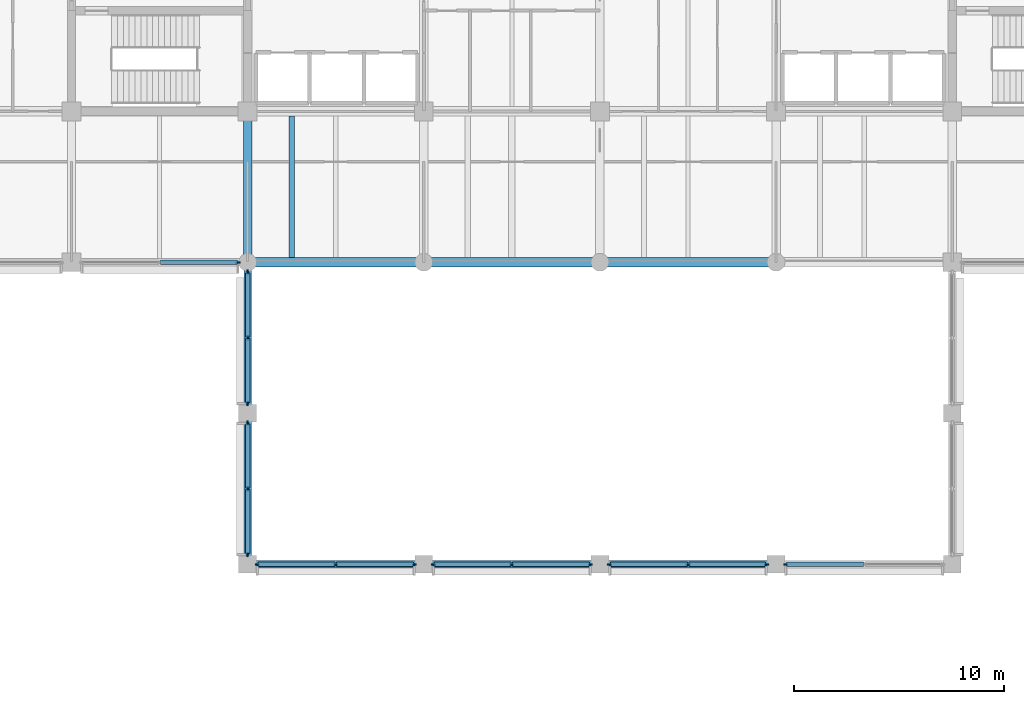
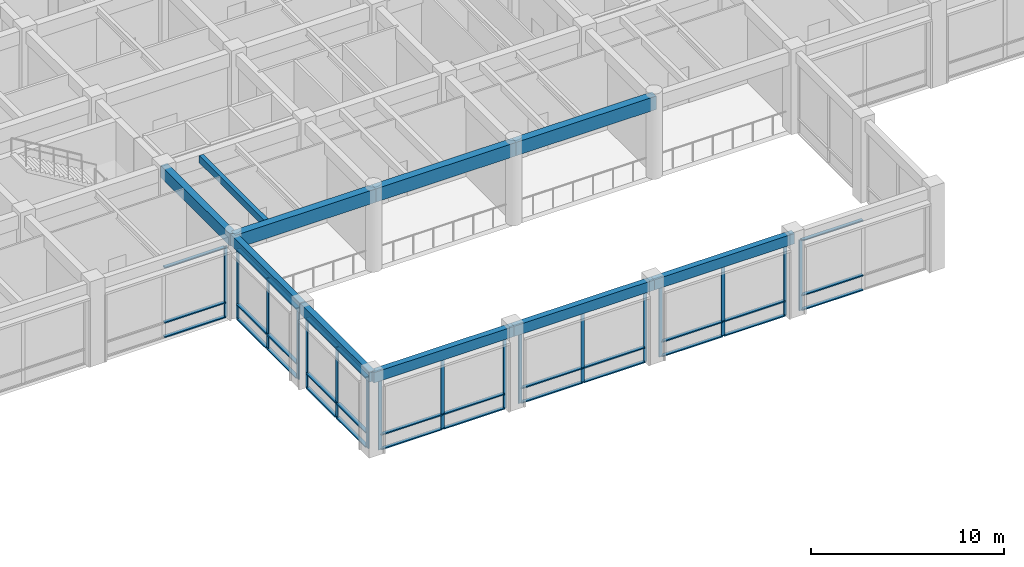
# One storey, part 7 of 51: 53 members, 10 beams, 7 elements without a shape of their own.
"""IFC4 building model written with IfcOpenShell, lengths in metres."""

from ifc_helpers import new_model, si_unit, direction, frame, origin, origin_2d, place, context, subcontext, project, spatial, rectangle, extrude, material, layer, layer_set, material_profile, profile_set, type_object, element, aggregate, save


model = new_model("IFC4")

# Units and contexts
model_context = context("Model", 3, precision=1e-05, world=origin(), true_north=direction((0.0, 1.0)))
body_context = subcontext(model_context, "Body", "Model", "MODEL_VIEW")
ifc_project = project(units=[si_unit("LENGTHUNIT", "METRE"), si_unit("AREAUNIT", "SQUARE_METRE"), si_unit("VOLUMEUNIT", "CUBIC_METRE"), si_unit("PLANEANGLEUNIT", "RADIAN"), si_unit("MASSUNIT", "GRAM", prefix="KILO")], contexts=[model_context])

# Site, building, storey
site_placement = place(None, origin())
site = spatial("IfcSite", under=ifc_project, at=site_placement, CompositionType="ELEMENT")
building_placement = place(site_placement, origin())
building = spatial("IfcBuilding", under=site, at=building_placement, Name="Chengyuan Square Courthouse", CompositionType="ELEMENT")
storey_placement = place(building_placement, frame((0.0, 0.0, 10.800048828125)))
storey = spatial("IfcBuildingStorey", under=building, at=storey_placement, Name="L03", CompositionType="ELEMENT", Elevation=10.800048828125)

# Beams
ifc_material_1 = material(Name="Concrete C40", Category="concrete")
ifc_material_profile_1 = material_profile(ifc_material_1, rectangle(XDim=0.449951171875, YDim=0.85009765625, at=origin_2d()), Name="RC-BM-450x850")
ifc_profile_set_1 = profile_set([ifc_material_profile_1], Name="Concrete C40")
beam_type_1 = type_object("IfcBeamType", Name="BM-01", PredefinedType="USERDEFINED", material=ifc_profile_set_1)
beam_1_placement = place(storey_placement, frame((67.199951171875, 79.199951171875, 4.695068359375), z_axis=(1.0, 0.0, 0.0), x_axis=(0.0, 1.0, 0.0)))
element("IfcBeam", 1, at=beam_1_placement, inside=storey, type_object=beam_type_1, Name="Girder BM-L03-2532", ObjectType="GIRDER", PredefinedType="USERDEFINED", context=body_context, shape_type="SweptSolid", body=[
    extrude(rectangle(XDim=0.449951171875, YDim=0.85009765625, at=origin_2d()), origin(), (0.0, 0.0, 1.0), 8.400146484375),
])
for number, where, z_axis, x_axis, name in (
    (2, (75.60009765625, 79.199951171875, 4.695068359375), (1.0, 0.0, 0.0), (0.0, 1.0, 0.0), "Girder BM-L03-2533"),
    (3, (84.0, 79.199951171875, 4.695068359375), (1.0, 0.0, 0.0), (0.0, 1.0, 0.0), "Girder BM-L03-2534"),
):
    element("IfcBeam", number, at=place(storey_placement, frame(where, z_axis=z_axis, x_axis=x_axis)), inside=storey, type_object=beam_type_1, Name=name, ObjectType="GIRDER", PredefinedType="USERDEFINED", context=body_context, shape_type="SweptSolid", body=[
        extrude(rectangle(XDim=0.449951171875, YDim=0.85009765625, at=origin_2d()), origin(), (0.0, 0.0, 1.0), 8.39990234375),
    ])
ifc_material_profile_2 = material_profile(ifc_material_1, rectangle(XDim=0.39990234375, YDim=0.75, at=origin_2d()), Name="RC-BM-400x750")
ifc_profile_set_2 = profile_set([ifc_material_profile_2], Name="Concrete C40")
beam_type_2 = type_object("IfcBeamType", Name="BM-02", PredefinedType="USERDEFINED", material=ifc_profile_set_2)
beam_2_placement = place(storey_placement, frame((67.199951171875, 79.199951171875, 4.744873046875), z_axis=(0.0, 1.0, 0.0), x_axis=(-1.0, 0.0, 0.0)))
element("IfcBeam", 4, at=beam_2_placement, inside=storey, type_object=beam_type_2, Name="Girder BM-L03-2680", ObjectType="GIRDER", PredefinedType="USERDEFINED", context=body_context, shape_type="SweptSolid", body=[
    extrude(rectangle(XDim=0.39990234375, YDim=0.75, at=origin_2d()), origin(), (0.0, 0.0, 1.0), 7.199951171875),
])
ifc_material_profile_3 = material_profile(ifc_material_1, rectangle(XDim=0.35009765625, YDim=0.64990234375, at=origin_2d()), Name="RC-BM-350x650")
ifc_profile_set_3 = profile_set([ifc_material_profile_3], Name="Concrete C40")
beam_type_3 = type_object("IfcBeamType", Name="BM-03", PredefinedType="SPANDREL", material=ifc_profile_set_3)
beam_3_placement = place(storey_placement, frame((67.199951171875, 64.800048828125, 4.794921875), z_axis=(1.0, 0.0, 0.0), x_axis=(0.0, 1.0, 0.0)))
element("IfcBeam", 5, at=beam_3_placement, inside=storey, type_object=beam_type_3, Name="Girder BM-L03-2517", PredefinedType="SPANDREL", context=body_context, shape_type="SweptSolid", body=[
    extrude(rectangle(XDim=0.35009765625, YDim=0.64990234375, at=origin_2d()), origin(), (0.0, 0.0, 1.0), 8.400146484375),
])
for number, where, z_axis, x_axis, name in (
    (6, (75.60009765625, 64.800048828125, 4.794921875), (1.0, 0.0, 0.0), (0.0, 1.0, 0.0), "Girder BM-L03-2518"),
    (7, (84.0, 64.800048828125, 4.794921875), (1.0, 0.0, 0.0), (0.0, 1.0, 0.0), "Girder BM-L03-2519"),
):
    element("IfcBeam", number, at=place(storey_placement, frame(where, z_axis=z_axis, x_axis=x_axis)), inside=storey, type_object=beam_type_3, Name=name, PredefinedType="SPANDREL", context=body_context, shape_type="SweptSolid", body=[
        extrude(rectangle(XDim=0.35009765625, YDim=0.64990234375, at=origin_2d()), origin(), (0.0, 0.0, 1.0), 8.39990234375),
    ])
for number, where, z_axis, x_axis, name in (
    (8, (67.199951171875, 64.800048828125, 4.794921875), (0.0, 1.0, 0.0), (-1.0, 0.0, 0.0), "Girder BM-L03-2678"),
    (9, (67.199951171875, 72.0, 4.794921875), (0.0, 1.0, 0.0), (-1.0, 0.0, 0.0), "Girder BM-L03-2679"),
):
    element("IfcBeam", number, at=place(storey_placement, frame(where, z_axis=z_axis, x_axis=x_axis)), inside=storey, type_object=beam_type_3, Name=name, PredefinedType="SPANDREL", context=body_context, shape_type="SweptSolid", body=[
        extrude(rectangle(XDim=0.35009765625, YDim=0.64990234375, at=origin_2d()), origin(), (0.0, 0.0, 1.0), 7.199951171875),
    ])
ifc_material_profile_4 = material_profile(ifc_material_1, rectangle(XDim=0.25, YDim=0.449951171875, at=origin_2d()), Name="RC-UP-250x450")
ifc_profile_set_4 = profile_set([ifc_material_profile_4], Name="Concrete C40")
beam_type_4 = type_object("IfcBeamType", Name="BM-05", PredefinedType="USERDEFINED", material=ifc_profile_set_4)
beam_4_placement = place(storey_placement, frame((69.300048828125, 79.425048828125, 4.89501953125), z_axis=(0.0, 1.0, 0.0), x_axis=(-1.0, 0.0, 0.0)))
element("IfcBeam", 10, at=beam_4_placement, inside=storey, type_object=beam_type_4, Name="Concourse Edge Trim Beam UPB-L03-08", ObjectType="UPSTAND", PredefinedType="USERDEFINED", context=body_context, shape_type="SweptSolid", body=[
    extrude(rectangle(XDim=0.25, YDim=0.449951171875, at=origin_2d()), origin(), (0.0, 0.0, 1.0), 6.75),
])

# Curtain wall, member
ifc_material_2 = material(Name="Unitised Aluminium and Triple Low-E Glass", Category="aluminium")
ifc_layer_1 = layer(ifc_material_2, 0.199951171875)
ifc_layer_set_1 = layer_set([ifc_layer_1], Name="Unitised Aluminium and Triple Low-E Glass")
curtain_wall_type_1 = type_object("IfcCurtainWallType", Name="CW-07", PredefinedType="USERDEFINED", material=ifc_layer_set_1)
curtain_wall_1_placement = place(storey_placement, origin())
curtain_wall_1 = element("IfcCurtainWall", 11, at=curtain_wall_1_placement, inside=storey, type_object=curtain_wall_type_1, Name="Unitised Curtain Wall CW-L03-104", ObjectType="UNITISED CURTAIN WALL", PredefinedType="USERDEFINED")
ifc_material_3 = material(Name="Aluminium 6063-T6 Frame", Category="aluminium")
ifc_material_profile_5 = material_profile(ifc_material_3, rectangle(XDim=0.070068359375, YDim=0.199951171875, at=origin_2d()), Name="CW-MUL-70x200")
ifc_profile_set_5 = profile_set([ifc_material_profile_5], Name="Aluminium 6063-T6 Frame")
member_type_1 = type_object("IfcMemberType", Name="CWM-03", PredefinedType="MULLION", material=ifc_profile_set_5)
member_1_placement = place(storey_placement, frame((66.739990234375, 79.199951171875, 0.0), z_axis=(0.0, 0.0, 1.0), x_axis=(0.0, 1.0, 0.0)))
member_1 = element("IfcMember", 12, at=member_1_placement, type_object=member_type_1, Name="CW-07 mullion 3", PredefinedType="MULLION", context=body_context, shape_type="SweptSolid", body=[
    extrude(rectangle(XDim=0.070068359375, YDim=0.199951171875, at=origin_2d()), origin(), (0.0, 0.0, 1.0), 4.469970703125),
])

# Curtain wall, members
curtain_wall_2_placement = place(storey_placement, origin())
curtain_wall_2 = element("IfcCurtainWall", 13, at=curtain_wall_2_placement, inside=storey, type_object=curtain_wall_type_1, Name="Unitised Curtain Wall CW-L03-105", ObjectType="UNITISED CURTAIN WALL", PredefinedType="USERDEFINED")
member_2_placement = place(storey_placement, frame((67.659912109375, 64.800048828125, 0.0), z_axis=(0.0, 0.0, 1.0), x_axis=(0.0, 1.0, 0.0)))
member_2 = element("IfcMember", 14, at=member_2_placement, type_object=member_type_1, Name="CW-07 mullion 1", PredefinedType="MULLION", context=body_context, shape_type="SweptSolid", body=[
    extrude(rectangle(XDim=0.070068359375, YDim=0.199951171875, at=origin_2d()), origin(), (0.0, 0.0, 1.0), 4.469970703125),
])
member_3_placement = place(storey_placement, frame((71.39990234375, 64.800048828125, 0.0), z_axis=(0.0, 0.0, 1.0), x_axis=(0.0, 1.0, 0.0)))
member_3 = element("IfcMember", 15, at=member_3_placement, type_object=member_type_1, Name="CW-07 mullion 2", PredefinedType="MULLION", context=body_context, shape_type="SweptSolid", body=[
    extrude(rectangle(XDim=0.070068359375, YDim=0.199951171875, at=origin_2d()), origin(), (0.0, 0.0, 1.0), 4.469970703125),
])
member_4_placement = place(storey_placement, frame((75.139892578125, 64.800048828125, 0.0), z_axis=(0.0, 0.0, 1.0), x_axis=(0.0, 1.0, 0.0)))
member_4 = element("IfcMember", 16, at=member_4_placement, type_object=member_type_1, Name="CW-07 mullion 3", PredefinedType="MULLION", context=body_context, shape_type="SweptSolid", body=[
    extrude(rectangle(XDim=0.070068359375, YDim=0.199951171875, at=origin_2d()), origin(), (0.0, 0.0, 1.0), 4.469970703125),
])

curtain_wall_3_placement = place(storey_placement, origin())
curtain_wall_3 = element("IfcCurtainWall", 17, at=curtain_wall_3_placement, inside=storey, type_object=curtain_wall_type_1, Name="Unitised Curtain Wall CW-L03-108", ObjectType="UNITISED CURTAIN WALL", PredefinedType="USERDEFINED")
member_5_placement = place(storey_placement, frame((76.06005859375, 64.800048828125, 0.0), z_axis=(0.0, 0.0, 1.0), x_axis=(0.0, 1.0, 0.0)))
member_5 = element("IfcMember", 18, at=member_5_placement, type_object=member_type_1, Name="CW-07 mullion 1", PredefinedType="MULLION", context=body_context, shape_type="SweptSolid", body=[
    extrude(rectangle(XDim=0.070068359375, YDim=0.199951171875, at=origin_2d()), origin(), (0.0, 0.0, 1.0), 4.469970703125),
])
member_6_placement = place(storey_placement, frame((79.800048828125, 64.800048828125, 0.0), z_axis=(0.0, 0.0, 1.0), x_axis=(0.0, 1.0, 0.0)))
member_6 = element("IfcMember", 19, at=member_6_placement, type_object=member_type_1, Name="CW-07 mullion 2", PredefinedType="MULLION", context=body_context, shape_type="SweptSolid", body=[
    extrude(rectangle(XDim=0.070068359375, YDim=0.199951171875, at=origin_2d()), origin(), (0.0, 0.0, 1.0), 4.469970703125),
])
member_7_placement = place(storey_placement, frame((83.5400390625, 64.800048828125, 0.0), z_axis=(0.0, 0.0, 1.0), x_axis=(0.0, 1.0, 0.0)))
member_7 = element("IfcMember", 20, at=member_7_placement, type_object=member_type_1, Name="CW-07 mullion 3", PredefinedType="MULLION", context=body_context, shape_type="SweptSolid", body=[
    extrude(rectangle(XDim=0.070068359375, YDim=0.199951171875, at=origin_2d()), origin(), (0.0, 0.0, 1.0), 4.469970703125),
])

curtain_wall_4_placement = place(storey_placement, origin())
curtain_wall_4 = element("IfcCurtainWall", 21, at=curtain_wall_4_placement, inside=storey, type_object=curtain_wall_type_1, Name="Unitised Curtain Wall CW-L03-109", ObjectType="UNITISED CURTAIN WALL", PredefinedType="USERDEFINED")
member_8_placement = place(storey_placement, frame((84.4599609375, 64.800048828125, 0.0), z_axis=(0.0, 0.0, 1.0), x_axis=(0.0, 1.0, 0.0)))
member_8 = element("IfcMember", 22, at=member_8_placement, type_object=member_type_1, Name="CW-07 mullion 1", PredefinedType="MULLION", context=body_context, shape_type="SweptSolid", body=[
    extrude(rectangle(XDim=0.070068359375, YDim=0.199951171875, at=origin_2d()), origin(), (0.0, 0.0, 1.0), 4.469970703125),
])
member_9_placement = place(storey_placement, frame((88.199951171875, 64.800048828125, 0.0), z_axis=(0.0, 0.0, 1.0), x_axis=(0.0, 1.0, 0.0)))
member_9 = element("IfcMember", 23, at=member_9_placement, type_object=member_type_1, Name="CW-07 mullion 2", PredefinedType="MULLION", context=body_context, shape_type="SweptSolid", body=[
    extrude(rectangle(XDim=0.070068359375, YDim=0.199951171875, at=origin_2d()), origin(), (0.0, 0.0, 1.0), 4.469970703125),
])
member_10_placement = place(storey_placement, frame((91.93994140625, 64.800048828125, 0.0), z_axis=(0.0, 0.0, 1.0), x_axis=(0.0, 1.0, 0.0)))
member_10 = element("IfcMember", 24, at=member_10_placement, type_object=member_type_1, Name="CW-07 mullion 3", PredefinedType="MULLION", context=body_context, shape_type="SweptSolid", body=[
    extrude(rectangle(XDim=0.070068359375, YDim=0.199951171875, at=origin_2d()), origin(), (0.0, 0.0, 1.0), 4.469970703125),
])

# Curtain wall, member
curtain_wall_5_placement = place(storey_placement, origin())
curtain_wall_5 = element("IfcCurtainWall", 25, at=curtain_wall_5_placement, inside=storey, type_object=curtain_wall_type_1, Name="Unitised Curtain Wall CW-L03-110", ObjectType="UNITISED CURTAIN WALL", PredefinedType="USERDEFINED")
member_11_placement = place(storey_placement, frame((92.860107421875, 64.800048828125, 0.0), z_axis=(0.0, 0.0, 1.0), x_axis=(0.0, 1.0, 0.0)))
member_11 = element("IfcMember", 26, at=member_11_placement, type_object=member_type_1, Name="CW-07 mullion 1", PredefinedType="MULLION", context=body_context, shape_type="SweptSolid", body=[
    extrude(rectangle(XDim=0.070068359375, YDim=0.199951171875, at=origin_2d()), origin(), (0.0, 0.0, 1.0), 4.469970703125),
])

# Curtain wall, members
ifc_layer_2 = layer(ifc_material_2, 0.219970703125)
ifc_layer_set_2 = layer_set([ifc_layer_2], Name="Unitised Aluminium and Triple Low-E Glass")
curtain_wall_type_2 = type_object("IfcCurtainWallType", Name="CW-20", PredefinedType="USERDEFINED", material=ifc_layer_set_2)
curtain_wall_6_placement = place(storey_placement, origin())
curtain_wall_6 = element("IfcCurtainWall", 27, at=curtain_wall_6_placement, inside=storey, type_object=curtain_wall_type_2, Name="Unitised Curtain Wall CW-L03-106", ObjectType="UNITISED CURTAIN WALL", PredefinedType="USERDEFINED")
ifc_material_profile_6 = material_profile(ifc_material_3, rectangle(XDim=0.080078125, YDim=0.219970703125, at=origin_2d()), Name="CW-MUL-80x220")
ifc_profile_set_6 = profile_set([ifc_material_profile_6], Name="Aluminium 6063-T6 Frame")
member_type_2 = type_object("IfcMemberType", Name="CWM-04", PredefinedType="MULLION", material=ifc_profile_set_6)
member_12_placement = place(storey_placement, frame((67.199951171875, 65.264892578125, 0.0), z_axis=(0.0, 0.0, 1.0), x_axis=(-1.0, 0.0, 0.0)))
member_12 = element("IfcMember", 28, at=member_12_placement, type_object=member_type_2, Name="CW-20 mullion 1", PredefinedType="MULLION", context=body_context, shape_type="SweptSolid", body=[
    extrude(rectangle(XDim=0.080078125, YDim=0.219970703125, at=origin_2d()), origin(), (0.0, 0.0, 1.0), 4.469970703125),
])
member_13_placement = place(storey_placement, frame((67.199951171875, 68.39990234375, 0.0), z_axis=(0.0, 0.0, 1.0), x_axis=(-1.0, 0.0, 0.0)))
member_13 = element("IfcMember", 29, at=member_13_placement, type_object=member_type_2, Name="CW-20 mullion 2", PredefinedType="MULLION", context=body_context, shape_type="SweptSolid", body=[
    extrude(rectangle(XDim=0.080078125, YDim=0.219970703125, at=origin_2d()), origin(), (0.0, 0.0, 1.0), 4.469970703125),
])
member_14_placement = place(storey_placement, frame((67.199951171875, 71.534912109375, 0.0), z_axis=(0.0, 0.0, 1.0), x_axis=(-1.0, 0.0, 0.0)))
member_14 = element("IfcMember", 30, at=member_14_placement, type_object=member_type_2, Name="CW-20 mullion 3", PredefinedType="MULLION", context=body_context, shape_type="SweptSolid", body=[
    extrude(rectangle(XDim=0.080078125, YDim=0.219970703125, at=origin_2d()), origin(), (0.0, 0.0, 1.0), 4.469970703125),
])

curtain_wall_7_placement = place(storey_placement, origin())
curtain_wall_7 = element("IfcCurtainWall", 31, at=curtain_wall_7_placement, inside=storey, type_object=curtain_wall_type_2, Name="Unitised Curtain Wall CW-L03-107", ObjectType="UNITISED CURTAIN WALL", PredefinedType="USERDEFINED")
member_15_placement = place(storey_placement, frame((67.199951171875, 72.465087890625, 0.0), z_axis=(0.0, 0.0, 1.0), x_axis=(-1.0, 0.0, 0.0)))
member_15 = element("IfcMember", 32, at=member_15_placement, type_object=member_type_2, Name="CW-20 mullion 1", PredefinedType="MULLION", context=body_context, shape_type="SweptSolid", body=[
    extrude(rectangle(XDim=0.080078125, YDim=0.219970703125, at=origin_2d()), origin(), (0.0, 0.0, 1.0), 4.469970703125),
])
member_16_placement = place(storey_placement, frame((67.199951171875, 75.60009765625, 0.0), z_axis=(0.0, 0.0, 1.0), x_axis=(-1.0, 0.0, 0.0)))
member_16 = element("IfcMember", 33, at=member_16_placement, type_object=member_type_2, Name="CW-20 mullion 2", PredefinedType="MULLION", context=body_context, shape_type="SweptSolid", body=[
    extrude(rectangle(XDim=0.080078125, YDim=0.219970703125, at=origin_2d()), origin(), (0.0, 0.0, 1.0), 4.469970703125),
])
member_17_placement = place(storey_placement, frame((67.199951171875, 78.735107421875, 0.0), z_axis=(0.0, 0.0, 1.0), x_axis=(-1.0, 0.0, 0.0)))
member_17 = element("IfcMember", 34, at=member_17_placement, type_object=member_type_2, Name="CW-20 mullion 3", PredefinedType="MULLION", context=body_context, shape_type="SweptSolid", body=[
    extrude(rectangle(XDim=0.080078125, YDim=0.219970703125, at=origin_2d()), origin(), (0.0, 0.0, 1.0), 4.469970703125),
])

# Member
ifc_material_profile_7 = material_profile(ifc_material_3, rectangle(XDim=0.199951171875, YDim=0.070068359375, at=origin_2d()), Name="CW-TRN-70x160")
ifc_profile_set_7 = profile_set([ifc_material_profile_7], Name="Aluminium 6063-T6 Frame")
member_type_3 = type_object("IfcMemberType", Name="CWT-03", PredefinedType="USERDEFINED", material=ifc_profile_set_7)
member_18_placement = place(storey_placement, frame((63.047607421875, 79.199951171875, 0.034912109375), z_axis=(1.0, 0.0, 0.0), x_axis=(0.0, 1.0, 0.0)))
member_18 = element("IfcMember", 35, at=member_18_placement, type_object=member_type_3, Name="CW-07 transom 2.1", ObjectType="TRANSOM", PredefinedType="USERDEFINED", context=body_context, shape_type="SweptSolid", body=[
    extrude(rectangle(XDim=0.199951171875, YDim=0.070068359375, at=origin_2d()), origin(), (0.0, 0.0, 1.0), 3.657470703125),
])

member_19_placement = place(storey_placement, frame((63.047607421875, 79.199951171875, 0.949951171875), z_axis=(1.0, 0.0, 0.0), x_axis=(0.0, 1.0, 0.0)))
member_19 = element("IfcMember", 36, at=member_19_placement, type_object=member_type_3, Name="CW-07 transom 2.2", ObjectType="TRANSOM", PredefinedType="USERDEFINED", context=body_context, shape_type="SweptSolid", body=[
    extrude(rectangle(XDim=0.199951171875, YDim=0.070068359375, at=origin_2d()), origin(), (0.0, 0.0, 1.0), 3.657470703125),
])

member_20_placement = place(storey_placement, frame((63.047607421875, 79.199951171875, 4.43505859375), z_axis=(1.0, 0.0, 0.0), x_axis=(0.0, 1.0, 0.0)))
member_20 = element("IfcMember", 37, at=member_20_placement, type_object=member_type_3, Name="CW-07 transom 2.3", ObjectType="TRANSOM", PredefinedType="USERDEFINED", context=body_context, shape_type="SweptSolid", body=[
    extrude(rectangle(XDim=0.199951171875, YDim=0.070068359375, at=origin_2d()), origin(), (0.0, 0.0, 1.0), 3.657470703125),
])

aggregate(curtain_wall_1, [member_1, member_18, member_19, member_20])

member_21_placement = place(storey_placement, frame((67.695068359375, 64.800048828125, 0.034912109375), z_axis=(1.0, 0.0, 0.0), x_axis=(0.0, 1.0, 0.0)))
member_21 = element("IfcMember", 38, at=member_21_placement, type_object=member_type_3, Name="CW-07 transom 1.1", ObjectType="TRANSOM", PredefinedType="USERDEFINED", context=body_context, shape_type="SweptSolid", body=[
    extrude(rectangle(XDim=0.199951171875, YDim=0.070068359375, at=origin_2d()), origin(), (0.0, 0.0, 1.0), 3.669921875),
])

member_22_placement = place(storey_placement, frame((67.695068359375, 64.800048828125, 0.949951171875), z_axis=(1.0, 0.0, 0.0), x_axis=(0.0, 1.0, 0.0)))
member_22 = element("IfcMember", 39, at=member_22_placement, type_object=member_type_3, Name="CW-07 transom 1.2", ObjectType="TRANSOM", PredefinedType="USERDEFINED", context=body_context, shape_type="SweptSolid", body=[
    extrude(rectangle(XDim=0.199951171875, YDim=0.070068359375, at=origin_2d()), origin(), (0.0, 0.0, 1.0), 3.669921875),
])

member_23_placement = place(storey_placement, frame((67.695068359375, 64.800048828125, 4.43505859375), z_axis=(1.0, 0.0, 0.0), x_axis=(0.0, 1.0, 0.0)))
member_23 = element("IfcMember", 40, at=member_23_placement, type_object=member_type_3, Name="CW-07 transom 1.3", ObjectType="TRANSOM", PredefinedType="USERDEFINED", context=body_context, shape_type="SweptSolid", body=[
    extrude(rectangle(XDim=0.199951171875, YDim=0.070068359375, at=origin_2d()), origin(), (0.0, 0.0, 1.0), 3.669921875),
])

member_24_placement = place(storey_placement, frame((71.43505859375, 64.800048828125, 0.034912109375), z_axis=(1.0, 0.0, 0.0), x_axis=(0.0, 1.0, 0.0)))
member_24 = element("IfcMember", 41, at=member_24_placement, type_object=member_type_3, Name="CW-07 transom 2.1", ObjectType="TRANSOM", PredefinedType="USERDEFINED", context=body_context, shape_type="SweptSolid", body=[
    extrude(rectangle(XDim=0.199951171875, YDim=0.070068359375, at=origin_2d()), origin(), (0.0, 0.0, 1.0), 3.669921875),
])

member_25_placement = place(storey_placement, frame((71.43505859375, 64.800048828125, 0.949951171875), z_axis=(1.0, 0.0, 0.0), x_axis=(0.0, 1.0, 0.0)))
member_25 = element("IfcMember", 42, at=member_25_placement, type_object=member_type_3, Name="CW-07 transom 2.2", ObjectType="TRANSOM", PredefinedType="USERDEFINED", context=body_context, shape_type="SweptSolid", body=[
    extrude(rectangle(XDim=0.199951171875, YDim=0.070068359375, at=origin_2d()), origin(), (0.0, 0.0, 1.0), 3.669921875),
])

member_26_placement = place(storey_placement, frame((71.43505859375, 64.800048828125, 4.43505859375), z_axis=(1.0, 0.0, 0.0), x_axis=(0.0, 1.0, 0.0)))
member_26 = element("IfcMember", 43, at=member_26_placement, type_object=member_type_3, Name="CW-07 transom 2.3", ObjectType="TRANSOM", PredefinedType="USERDEFINED", context=body_context, shape_type="SweptSolid", body=[
    extrude(rectangle(XDim=0.199951171875, YDim=0.070068359375, at=origin_2d()), origin(), (0.0, 0.0, 1.0), 3.669921875),
])

aggregate(curtain_wall_2, [member_2, member_3, member_4, member_21, member_22, member_23, member_24, member_25, member_26])

member_27_placement = place(storey_placement, frame((76.094970703125, 64.800048828125, 0.034912109375), z_axis=(1.0, 0.0, 0.0), x_axis=(0.0, 1.0, 0.0)))
member_27 = element("IfcMember", 44, at=member_27_placement, type_object=member_type_3, Name="CW-07 transom 1.1", ObjectType="TRANSOM", PredefinedType="USERDEFINED", context=body_context, shape_type="SweptSolid", body=[
    extrude(rectangle(XDim=0.199951171875, YDim=0.070068359375, at=origin_2d()), origin(), (0.0, 0.0, 1.0), 3.669921875),
])

member_28_placement = place(storey_placement, frame((76.094970703125, 64.800048828125, 0.949951171875), z_axis=(1.0, 0.0, 0.0), x_axis=(0.0, 1.0, 0.0)))
member_28 = element("IfcMember", 45, at=member_28_placement, type_object=member_type_3, Name="CW-07 transom 1.2", ObjectType="TRANSOM", PredefinedType="USERDEFINED", context=body_context, shape_type="SweptSolid", body=[
    extrude(rectangle(XDim=0.199951171875, YDim=0.070068359375, at=origin_2d()), origin(), (0.0, 0.0, 1.0), 3.669921875),
])

member_29_placement = place(storey_placement, frame((76.094970703125, 64.800048828125, 4.43505859375), z_axis=(1.0, 0.0, 0.0), x_axis=(0.0, 1.0, 0.0)))
member_29 = element("IfcMember", 46, at=member_29_placement, type_object=member_type_3, Name="CW-07 transom 1.3", ObjectType="TRANSOM", PredefinedType="USERDEFINED", context=body_context, shape_type="SweptSolid", body=[
    extrude(rectangle(XDim=0.199951171875, YDim=0.070068359375, at=origin_2d()), origin(), (0.0, 0.0, 1.0), 3.669921875),
])

member_30_placement = place(storey_placement, frame((79.8349609375, 64.800048828125, 0.034912109375), z_axis=(1.0, 0.0, 0.0), x_axis=(0.0, 1.0, 0.0)))
member_30 = element("IfcMember", 47, at=member_30_placement, type_object=member_type_3, Name="CW-07 transom 2.1", ObjectType="TRANSOM", PredefinedType="USERDEFINED", context=body_context, shape_type="SweptSolid", body=[
    extrude(rectangle(XDim=0.199951171875, YDim=0.070068359375, at=origin_2d()), origin(), (0.0, 0.0, 1.0), 3.669921875),
])

member_31_placement = place(storey_placement, frame((79.8349609375, 64.800048828125, 0.949951171875), z_axis=(1.0, 0.0, 0.0), x_axis=(0.0, 1.0, 0.0)))
member_31 = element("IfcMember", 48, at=member_31_placement, type_object=member_type_3, Name="CW-07 transom 2.2", ObjectType="TRANSOM", PredefinedType="USERDEFINED", context=body_context, shape_type="SweptSolid", body=[
    extrude(rectangle(XDim=0.199951171875, YDim=0.070068359375, at=origin_2d()), origin(), (0.0, 0.0, 1.0), 3.669921875),
])

member_32_placement = place(storey_placement, frame((79.8349609375, 64.800048828125, 4.43505859375), z_axis=(1.0, 0.0, 0.0), x_axis=(0.0, 1.0, 0.0)))
member_32 = element("IfcMember", 49, at=member_32_placement, type_object=member_type_3, Name="CW-07 transom 2.3", ObjectType="TRANSOM", PredefinedType="USERDEFINED", context=body_context, shape_type="SweptSolid", body=[
    extrude(rectangle(XDim=0.199951171875, YDim=0.070068359375, at=origin_2d()), origin(), (0.0, 0.0, 1.0), 3.669921875),
])

aggregate(curtain_wall_3, [member_5, member_6, member_7, member_27, member_28, member_29, member_30, member_31, member_32])

member_33_placement = place(storey_placement, frame((84.4951171875, 64.800048828125, 0.034912109375), z_axis=(1.0, 0.0, 0.0), x_axis=(0.0, 1.0, 0.0)))
member_33 = element("IfcMember", 50, at=member_33_placement, type_object=member_type_3, Name="CW-07 transom 1.1", ObjectType="TRANSOM", PredefinedType="USERDEFINED", context=body_context, shape_type="SweptSolid", body=[
    extrude(rectangle(XDim=0.199951171875, YDim=0.070068359375, at=origin_2d()), origin(), (0.0, 0.0, 1.0), 3.669921875),
])

member_34_placement = place(storey_placement, frame((84.4951171875, 64.800048828125, 0.949951171875), z_axis=(1.0, 0.0, 0.0), x_axis=(0.0, 1.0, 0.0)))
member_34 = element("IfcMember", 51, at=member_34_placement, type_object=member_type_3, Name="CW-07 transom 1.2", ObjectType="TRANSOM", PredefinedType="USERDEFINED", context=body_context, shape_type="SweptSolid", body=[
    extrude(rectangle(XDim=0.199951171875, YDim=0.070068359375, at=origin_2d()), origin(), (0.0, 0.0, 1.0), 3.669921875),
])

member_35_placement = place(storey_placement, frame((84.4951171875, 64.800048828125, 4.43505859375), z_axis=(1.0, 0.0, 0.0), x_axis=(0.0, 1.0, 0.0)))
member_35 = element("IfcMember", 52, at=member_35_placement, type_object=member_type_3, Name="CW-07 transom 1.3", ObjectType="TRANSOM", PredefinedType="USERDEFINED", context=body_context, shape_type="SweptSolid", body=[
    extrude(rectangle(XDim=0.199951171875, YDim=0.070068359375, at=origin_2d()), origin(), (0.0, 0.0, 1.0), 3.669921875),
])

member_36_placement = place(storey_placement, frame((88.235107421875, 64.800048828125, 0.034912109375), z_axis=(1.0, 0.0, 0.0), x_axis=(0.0, 1.0, 0.0)))
member_36 = element("IfcMember", 53, at=member_36_placement, type_object=member_type_3, Name="CW-07 transom 2.1", ObjectType="TRANSOM", PredefinedType="USERDEFINED", context=body_context, shape_type="SweptSolid", body=[
    extrude(rectangle(XDim=0.199951171875, YDim=0.070068359375, at=origin_2d()), origin(), (0.0, 0.0, 1.0), 3.669921875),
])

member_37_placement = place(storey_placement, frame((88.235107421875, 64.800048828125, 0.949951171875), z_axis=(1.0, 0.0, 0.0), x_axis=(0.0, 1.0, 0.0)))
member_37 = element("IfcMember", 54, at=member_37_placement, type_object=member_type_3, Name="CW-07 transom 2.2", ObjectType="TRANSOM", PredefinedType="USERDEFINED", context=body_context, shape_type="SweptSolid", body=[
    extrude(rectangle(XDim=0.199951171875, YDim=0.070068359375, at=origin_2d()), origin(), (0.0, 0.0, 1.0), 3.669921875),
])

member_38_placement = place(storey_placement, frame((88.235107421875, 64.800048828125, 4.43505859375), z_axis=(1.0, 0.0, 0.0), x_axis=(0.0, 1.0, 0.0)))
member_38 = element("IfcMember", 55, at=member_38_placement, type_object=member_type_3, Name="CW-07 transom 2.3", ObjectType="TRANSOM", PredefinedType="USERDEFINED", context=body_context, shape_type="SweptSolid", body=[
    extrude(rectangle(XDim=0.199951171875, YDim=0.070068359375, at=origin_2d()), origin(), (0.0, 0.0, 1.0), 3.669921875),
])

aggregate(curtain_wall_4, [member_8, member_9, member_10, member_33, member_34, member_35, member_36, member_37, member_38])

member_39_placement = place(storey_placement, frame((92.89501953125, 64.800048828125, 0.034912109375), z_axis=(1.0, 0.0, 0.0), x_axis=(0.0, 1.0, 0.0)))
member_39 = element("IfcMember", 56, at=member_39_placement, type_object=member_type_3, Name="CW-07 transom 1.1", ObjectType="TRANSOM", PredefinedType="USERDEFINED", context=body_context, shape_type="SweptSolid", body=[
    extrude(rectangle(XDim=0.199951171875, YDim=0.070068359375, at=origin_2d()), origin(), (0.0, 0.0, 1.0), 3.669921875),
])

member_40_placement = place(storey_placement, frame((92.89501953125, 64.800048828125, 0.949951171875), z_axis=(1.0, 0.0, 0.0), x_axis=(0.0, 1.0, 0.0)))
member_40 = element("IfcMember", 57, at=member_40_placement, type_object=member_type_3, Name="CW-07 transom 1.2", ObjectType="TRANSOM", PredefinedType="USERDEFINED", context=body_context, shape_type="SweptSolid", body=[
    extrude(rectangle(XDim=0.199951171875, YDim=0.070068359375, at=origin_2d()), origin(), (0.0, 0.0, 1.0), 3.669921875),
])

member_41_placement = place(storey_placement, frame((92.89501953125, 64.800048828125, 4.43505859375), z_axis=(1.0, 0.0, 0.0), x_axis=(0.0, 1.0, 0.0)))
member_41 = element("IfcMember", 58, at=member_41_placement, type_object=member_type_3, Name="CW-07 transom 1.3", ObjectType="TRANSOM", PredefinedType="USERDEFINED", context=body_context, shape_type="SweptSolid", body=[
    extrude(rectangle(XDim=0.199951171875, YDim=0.070068359375, at=origin_2d()), origin(), (0.0, 0.0, 1.0), 3.669921875),
])

aggregate(curtain_wall_5, [member_11, member_39, member_40, member_41])

ifc_material_profile_8 = material_profile(ifc_material_3, rectangle(XDim=0.219970703125, YDim=0.080078125, at=origin_2d()), Name="CW-TRN-80x180")
ifc_profile_set_8 = profile_set([ifc_material_profile_8], Name="Aluminium 6063-T6 Frame")
member_type_4 = type_object("IfcMemberType", Name="CWT-04", PredefinedType="USERDEFINED", material=ifc_profile_set_8)
member_42_placement = place(storey_placement, frame((67.199951171875, 65.304931640625, 0.0400390625), z_axis=(0.0, 1.0, 0.0), x_axis=(-1.0, 0.0, 0.0)))
member_42 = element("IfcMember", 59, at=member_42_placement, type_object=member_type_4, Name="CW-20 transom 1.1", ObjectType="TRANSOM", PredefinedType="USERDEFINED", context=body_context, shape_type="SweptSolid", body=[
    extrude(rectangle(XDim=0.219970703125, YDim=0.080078125, at=origin_2d()), origin(), (0.0, 0.0, 1.0), 3.05517578125),
])

member_43_placement = place(storey_placement, frame((67.199951171875, 65.304931640625, 0.949951171875), z_axis=(0.0, 1.0, 0.0), x_axis=(-1.0, 0.0, 0.0)))
member_43 = element("IfcMember", 60, at=member_43_placement, type_object=member_type_4, Name="CW-20 transom 1.2", ObjectType="TRANSOM", PredefinedType="USERDEFINED", context=body_context, shape_type="SweptSolid", body=[
    extrude(rectangle(XDim=0.219970703125, YDim=0.080078125, at=origin_2d()), origin(), (0.0, 0.0, 1.0), 3.05517578125),
])

member_44_placement = place(storey_placement, frame((67.199951171875, 65.304931640625, 4.429931640625), z_axis=(0.0, 1.0, 0.0), x_axis=(-1.0, 0.0, 0.0)))
member_44 = element("IfcMember", 61, at=member_44_placement, type_object=member_type_4, Name="CW-20 transom 1.3", ObjectType="TRANSOM", PredefinedType="USERDEFINED", context=body_context, shape_type="SweptSolid", body=[
    extrude(rectangle(XDim=0.219970703125, YDim=0.080078125, at=origin_2d()), origin(), (0.0, 0.0, 1.0), 3.05517578125),
])

member_45_placement = place(storey_placement, frame((67.199951171875, 68.43994140625, 0.0400390625), z_axis=(0.0, 1.0, 0.0), x_axis=(-1.0, 0.0, 0.0)))
member_45 = element("IfcMember", 62, at=member_45_placement, type_object=member_type_4, Name="CW-20 transom 2.1", ObjectType="TRANSOM", PredefinedType="USERDEFINED", context=body_context, shape_type="SweptSolid", body=[
    extrude(rectangle(XDim=0.219970703125, YDim=0.080078125, at=origin_2d()), origin(), (0.0, 0.0, 1.0), 3.05517578125),
])

member_46_placement = place(storey_placement, frame((67.199951171875, 68.43994140625, 0.949951171875), z_axis=(0.0, 1.0, 0.0), x_axis=(-1.0, 0.0, 0.0)))
member_46 = element("IfcMember", 63, at=member_46_placement, type_object=member_type_4, Name="CW-20 transom 2.2", ObjectType="TRANSOM", PredefinedType="USERDEFINED", context=body_context, shape_type="SweptSolid", body=[
    extrude(rectangle(XDim=0.219970703125, YDim=0.080078125, at=origin_2d()), origin(), (0.0, 0.0, 1.0), 3.05517578125),
])

member_47_placement = place(storey_placement, frame((67.199951171875, 68.43994140625, 4.429931640625), z_axis=(0.0, 1.0, 0.0), x_axis=(-1.0, 0.0, 0.0)))
member_47 = element("IfcMember", 64, at=member_47_placement, type_object=member_type_4, Name="CW-20 transom 2.3", ObjectType="TRANSOM", PredefinedType="USERDEFINED", context=body_context, shape_type="SweptSolid", body=[
    extrude(rectangle(XDim=0.219970703125, YDim=0.080078125, at=origin_2d()), origin(), (0.0, 0.0, 1.0), 3.05517578125),
])

aggregate(curtain_wall_6, [member_12, member_13, member_14, member_42, member_43, member_44, member_45, member_46, member_47])

member_48_placement = place(storey_placement, frame((67.199951171875, 72.5048828125, 0.0400390625), z_axis=(0.0, 1.0, 0.0), x_axis=(-1.0, 0.0, 0.0)))
member_48 = element("IfcMember", 65, at=member_48_placement, type_object=member_type_4, Name="CW-20 transom 1.1", ObjectType="TRANSOM", PredefinedType="USERDEFINED", context=body_context, shape_type="SweptSolid", body=[
    extrude(rectangle(XDim=0.219970703125, YDim=0.080078125, at=origin_2d()), origin(), (0.0, 0.0, 1.0), 3.05517578125),
])

member_49_placement = place(storey_placement, frame((67.199951171875, 72.5048828125, 0.949951171875), z_axis=(0.0, 1.0, 0.0), x_axis=(-1.0, 0.0, 0.0)))
member_49 = element("IfcMember", 66, at=member_49_placement, type_object=member_type_4, Name="CW-20 transom 1.2", ObjectType="TRANSOM", PredefinedType="USERDEFINED", context=body_context, shape_type="SweptSolid", body=[
    extrude(rectangle(XDim=0.219970703125, YDim=0.080078125, at=origin_2d()), origin(), (0.0, 0.0, 1.0), 3.05517578125),
])

member_50_placement = place(storey_placement, frame((67.199951171875, 72.5048828125, 4.429931640625), z_axis=(0.0, 1.0, 0.0), x_axis=(-1.0, 0.0, 0.0)))
member_50 = element("IfcMember", 67, at=member_50_placement, type_object=member_type_4, Name="CW-20 transom 1.3", ObjectType="TRANSOM", PredefinedType="USERDEFINED", context=body_context, shape_type="SweptSolid", body=[
    extrude(rectangle(XDim=0.219970703125, YDim=0.080078125, at=origin_2d()), origin(), (0.0, 0.0, 1.0), 3.05517578125),
])

member_51_placement = place(storey_placement, frame((67.199951171875, 75.639892578125, 0.0400390625), z_axis=(0.0, 1.0, 0.0), x_axis=(-1.0, 0.0, 0.0)))
member_51 = element("IfcMember", 68, at=member_51_placement, type_object=member_type_4, Name="CW-20 transom 2.1", ObjectType="TRANSOM", PredefinedType="USERDEFINED", context=body_context, shape_type="SweptSolid", body=[
    extrude(rectangle(XDim=0.219970703125, YDim=0.080078125, at=origin_2d()), origin(), (0.0, 0.0, 1.0), 3.05517578125),
])

member_52_placement = place(storey_placement, frame((67.199951171875, 75.639892578125, 0.949951171875), z_axis=(0.0, 1.0, 0.0), x_axis=(-1.0, 0.0, 0.0)))
member_52 = element("IfcMember", 69, at=member_52_placement, type_object=member_type_4, Name="CW-20 transom 2.2", ObjectType="TRANSOM", PredefinedType="USERDEFINED", context=body_context, shape_type="SweptSolid", body=[
    extrude(rectangle(XDim=0.219970703125, YDim=0.080078125, at=origin_2d()), origin(), (0.0, 0.0, 1.0), 3.05517578125),
])

member_53_placement = place(storey_placement, frame((67.199951171875, 75.639892578125, 4.429931640625), z_axis=(0.0, 1.0, 0.0), x_axis=(-1.0, 0.0, 0.0)))
member_53 = element("IfcMember", 70, at=member_53_placement, type_object=member_type_4, Name="CW-20 transom 2.3", ObjectType="TRANSOM", PredefinedType="USERDEFINED", context=body_context, shape_type="SweptSolid", body=[
    extrude(rectangle(XDim=0.219970703125, YDim=0.080078125, at=origin_2d()), origin(), (0.0, 0.0, 1.0), 3.05517578125),
])

aggregate(curtain_wall_7, [member_15, member_16, member_17, member_48, member_49, member_50, member_51, member_52, member_53])

save(model, "model.ifc")
